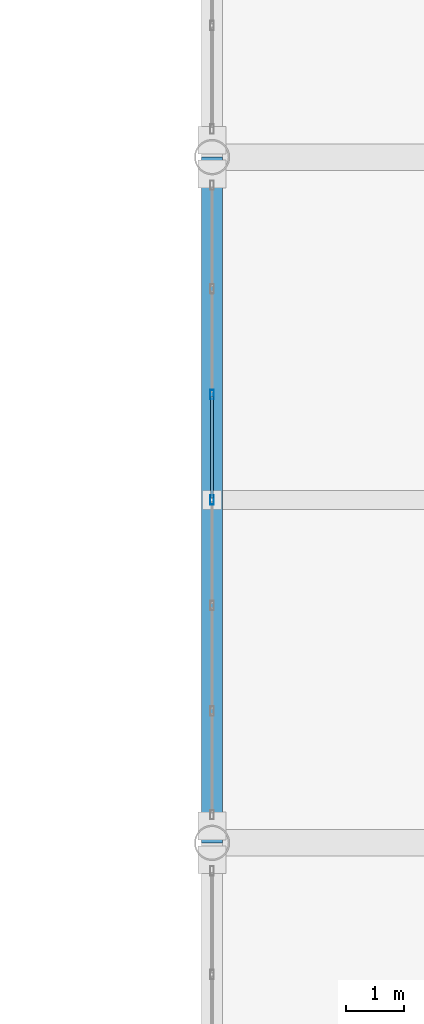
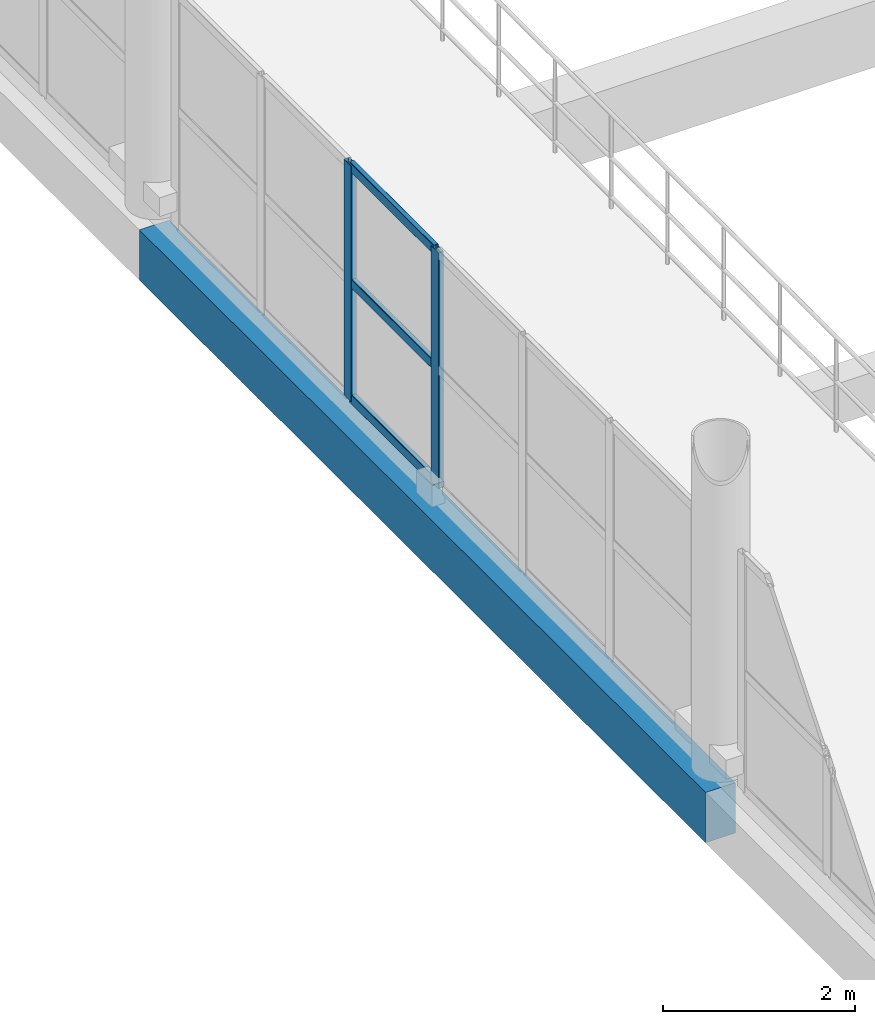
# One storey, part 57 of 157: 5 members, 1 beam, 1 element without a shape of its own.
"""IFC4 building model written with IfcOpenShell, lengths in metres."""

from ifc_helpers import new_model, si_unit, direction, frame, origin, origin_2d, place, context, subcontext, project, spatial, rectangle, hollow_rectangle, extrude, material, material_profile, profile_set, type_object, element, aggregate, save


model = new_model("IFC4")

# Units and contexts
model_context = context("Model", 3, precision=1e-05, world=origin(), true_north=direction((0.0, 1.0)))
body_context = subcontext(model_context, "Body", "Model", "MODEL_VIEW")
ifc_project = project(units=[si_unit("LENGTHUNIT", "METRE"), si_unit("AREAUNIT", "SQUARE_METRE"), si_unit("VOLUMEUNIT", "CUBIC_METRE"), si_unit("PLANEANGLEUNIT", "RADIAN"), si_unit("MASSUNIT", "GRAM", prefix="KILO")], contexts=[model_context])

# Site, building, storey
site_placement = place(None, origin())
site = spatial("IfcSite", under=ifc_project, at=site_placement, CompositionType="ELEMENT")
building_placement = place(site_placement, origin())
building = spatial("IfcBuilding", under=site, at=building_placement, Name="Brelvane Convention Centre", CompositionType="ELEMENT")
storey_placement = place(building_placement, frame((0.0, 0.0, 10.800048828125)))
storey = spatial("IfcBuildingStorey", under=building, at=storey_placement, Name="L02", CompositionType="ELEMENT", Elevation=10.800048828125)

# Curtain wall, members
ifc_material_1 = material(Name="Anodised Aluminium Alloy 6063-T6", Category="aluminium")
curtain_wall_type = type_object("IfcCurtainWallType", Name="Curtain Wall CW-CONC", PredefinedType="USERDEFINED", material=ifc_material_1)
curtain_wall_placement = place(storey_placement, origin())
curtain_wall = element("IfcCurtainWall", 1, at=curtain_wall_placement, inside=storey, type_object=curtain_wall_type, Name="Curtain Wall CW-CONC L02-GAL-ATRIUM-W-2", ObjectType="UNITISED", PredefinedType="USERDEFINED")
ifc_material_2 = material(Name="Anodised Aluminium Alloy 6063-T6", Category="aluminium")
ifc_material_profile_1 = material_profile(ifc_material_2, hollow_rectangle(XDim=0.06494140625, YDim=0.159912109375, WallThickness=0.00390625, InnerFilletRadius=0.00390625, OuterFilletRadius=0.008056640625, at=origin_2d()), Name="ALU-M 160x65x4.0")
ifc_profile_set_1 = profile_set([ifc_material_profile_1], Name="Anodised Aluminium Alloy 6063-T6")
member_type_1 = type_object("IfcMemberType", Name="Curtain Mullion CW-M3", PredefinedType="MULLION", material=ifc_profile_set_1)
member_1_placement = place(storey_placement, frame((142.800048828125, 58.300048828125, 0.0), z_axis=(0.0, 0.0, 1.0), x_axis=(-1.0, 0.0, 0.0)))
member_1 = element("IfcMember", 2, at=member_1_placement, type_object=member_type_1, Name="CW-CONC mullion 4", PredefinedType="MULLION", context=body_context, shape_type="SweptSolid", body=[
    extrude(hollow_rectangle(XDim=0.06494140625, YDim=0.159912109375, WallThickness=0.00390625, InnerFilletRadius=0.00390625, OuterFilletRadius=0.008056640625, at=origin_2d()), origin(), (0.0, 0.0, 1.0), 3.0),
])
member_2_placement = place(storey_placement, frame((142.800048828125, 60.11669921875, 0.0), z_axis=(0.0, 0.0, 1.0), x_axis=(-1.0, 0.0, 0.0)))
member_2 = element("IfcMember", 3, at=member_2_placement, type_object=member_type_1, Name="CW-CONC mullion 5", PredefinedType="MULLION", context=body_context, shape_type="SweptSolid", body=[
    extrude(hollow_rectangle(XDim=0.06494140625, YDim=0.159912109375, WallThickness=0.00390625, InnerFilletRadius=0.00390625, OuterFilletRadius=0.008056640625, at=origin_2d()), origin(), (0.0, 0.0, 1.0), 3.0),
])
ifc_material_3 = material(Name="Anodised Aluminium Alloy 6063-T6", Category="aluminium")
ifc_material_profile_2 = material_profile(ifc_material_3, hollow_rectangle(XDim=0.06005859375, YDim=0.1201171875, WallThickness=0.00390625, InnerFilletRadius=0.00390625, OuterFilletRadius=0.008056640625, at=origin_2d()), Name="ALU-T 120x60x4.0")
ifc_profile_set_2 = profile_set([ifc_material_profile_2], Name="Anodised Aluminium Alloy 6063-T6")
member_type_2 = type_object("IfcMemberType", Name="Curtain Transom CW-T3", PredefinedType="USERDEFINED", material=ifc_profile_set_2)
member_3_placement = place(storey_placement, frame((142.800048828125, 58.33251953125, 0.030029296875), z_axis=(0.0, 1.0, 0.0), x_axis=(-1.0, 0.0, 0.0)))
member_3 = element("IfcMember", 4, at=member_3_placement, type_object=member_type_2, Name="CW-CONC transom 4.1", ObjectType="TRANSOM", PredefinedType="USERDEFINED", context=body_context, shape_type="SweptSolid", body=[
    extrude(hollow_rectangle(XDim=0.06005859375, YDim=0.1201171875, WallThickness=0.00390625, InnerFilletRadius=0.00390625, OuterFilletRadius=0.008056640625, at=origin_2d()), origin(), (0.0, 0.0, 1.0), 1.751708984375),
])
member_4_placement = place(storey_placement, frame((142.800048828125, 58.33251953125, 1.5), z_axis=(0.0, 1.0, 0.0), x_axis=(-1.0, 0.0, 0.0)))
member_4 = element("IfcMember", 5, at=member_4_placement, type_object=member_type_2, Name="CW-CONC transom 4.2", ObjectType="TRANSOM", PredefinedType="USERDEFINED", context=body_context, shape_type="SweptSolid", body=[
    extrude(hollow_rectangle(XDim=0.06005859375, YDim=0.1201171875, WallThickness=0.00390625, InnerFilletRadius=0.00390625, OuterFilletRadius=0.008056640625, at=origin_2d()), origin(), (0.0, 0.0, 1.0), 1.751708984375),
])
member_5_placement = place(storey_placement, frame((142.800048828125, 58.33251953125, 2.969970703125), z_axis=(0.0, 1.0, 0.0), x_axis=(-1.0, 0.0, 0.0)))
member_5 = element("IfcMember", 6, at=member_5_placement, type_object=member_type_2, Name="CW-CONC transom 4.3", ObjectType="TRANSOM", PredefinedType="USERDEFINED", context=body_context, shape_type="SweptSolid", body=[
    extrude(hollow_rectangle(XDim=0.06005859375, YDim=0.1201171875, WallThickness=0.00390625, InnerFilletRadius=0.00390625, OuterFilletRadius=0.008056640625, at=origin_2d()), origin(), (0.0, 0.0, 1.0), 1.751708984375),
])
aggregate(curtain_wall, [member_1, member_2, member_3, member_4, member_5])

# Beam
ifc_material_4 = material(Name="Concrete M40", Category="concrete")
ifc_material_profile_3 = material_profile(ifc_material_4, rectangle(XDim=0.360107421875, YDim=0.639892578125, at=origin_2d()), Name="RC 360x640")
ifc_profile_set_3 = profile_set([ifc_material_profile_3], Name="Concrete M40")
beam_type = type_object("IfcBeamType", Name="RC Spandrel SP-RC3 (RC 360x640)", PredefinedType="SPANDREL", material=ifc_profile_set_3)
beam_placement = place(storey_placement, frame((142.800048828125, 52.39990234375, -0.60009765625), z_axis=(0.0, 1.0, 0.0), x_axis=(-1.0, 0.0, 0.0)))
element("IfcBeam", 7, at=beam_placement, inside=storey, type_object=beam_type, Name="L02 Girder 15/F-G", PredefinedType="SPANDREL", context=body_context, shape_type="SweptSolid", body=[
    extrude(rectangle(XDim=0.360107421875, YDim=0.639892578125, at=origin_2d()), origin(), (0.0, 0.0, 1.0), 11.800048828125),
])

save(model, "model.ifc")
